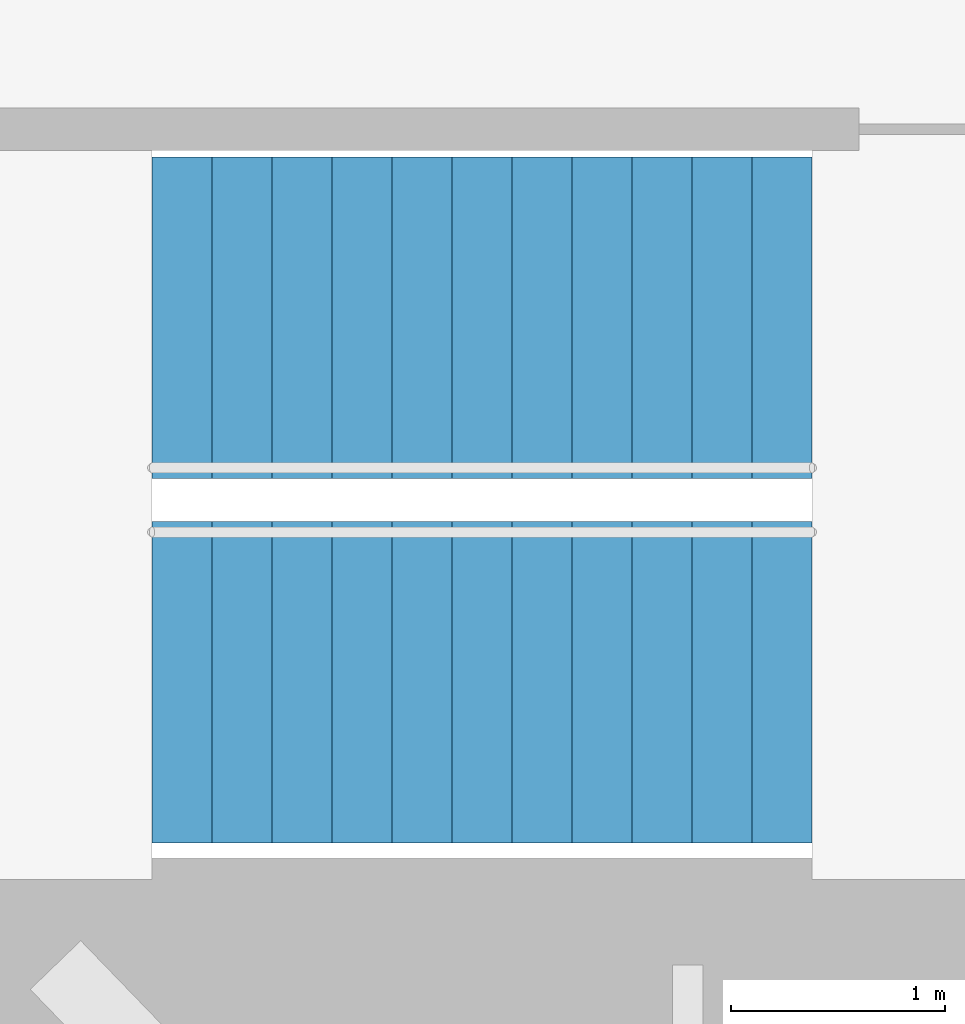
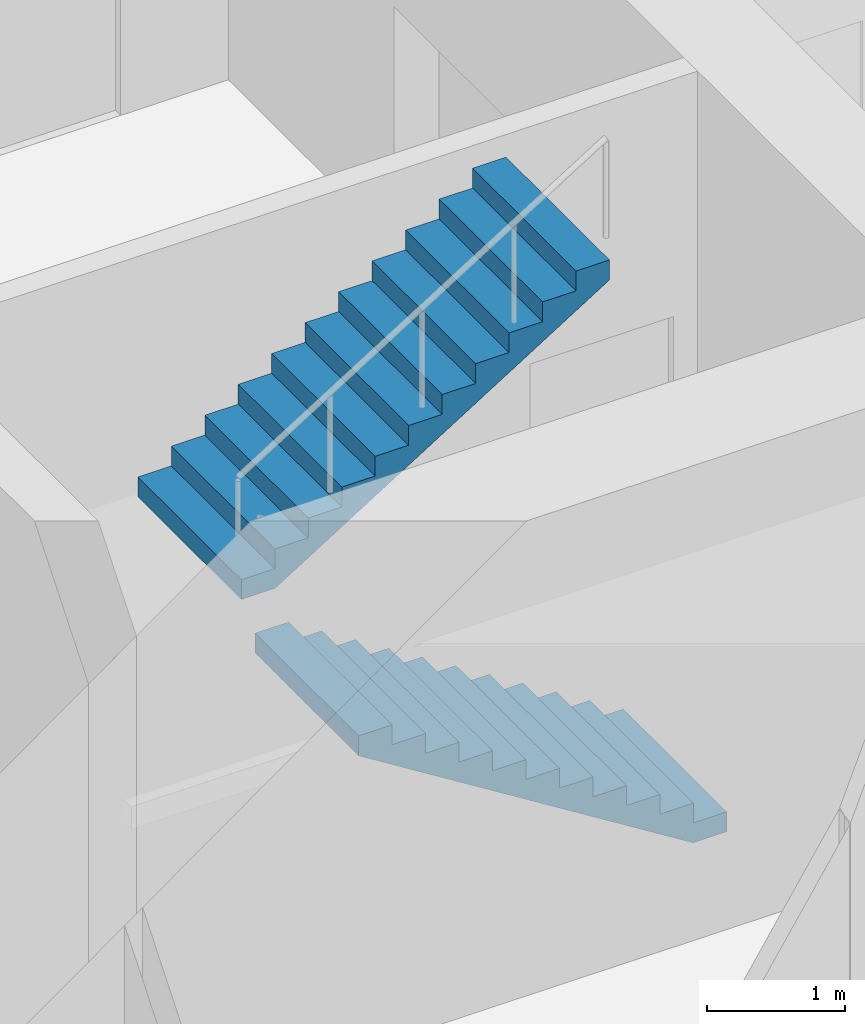
# One storey, part 17 of 18: 2 stair flights, 1 element without a shape of its own.
"""IFC4 building model written with IfcOpenShell, lengths in metres."""

from ifc_helpers import new_model, si_unit, direction, frame, origin, place, context, subcontext, project, spatial, triangles, material, type_object, element, aggregate, save


model = new_model("IFC4")

# Units and contexts
model_context = context("Model", 3, precision=1e-05, world=origin(), true_north=direction((0.0, 1.0)))
body_context = subcontext(model_context, "Body", "Model", "MODEL_VIEW")
ifc_project = project(units=[si_unit("LENGTHUNIT", "METRE"), si_unit("AREAUNIT", "SQUARE_METRE"), si_unit("VOLUMEUNIT", "CUBIC_METRE"), si_unit("PLANEANGLEUNIT", "RADIAN"), si_unit("MASSUNIT", "GRAM", prefix="KILO")], contexts=[model_context])

# Site, building, storey
site_placement = place(None, origin())
site = spatial("IfcSite", under=ifc_project, at=site_placement, CompositionType="ELEMENT")
building_placement = place(site_placement, origin())
building = spatial("IfcBuilding", under=site, at=building_placement, Name="Lantaw Convention Tower", CompositionType="ELEMENT")
storey_placement = place(building_placement, frame((0.0, 0.0, 257.800048828125)))
storey = spatial("IfcBuildingStorey", under=building, at=storey_placement, Name="L60", CompositionType="ELEMENT", Elevation=257.800048828125)

# Stair, stair flights
ifc_material = material(Name="Concrete C35/45", Category="concrete")
stair_type = type_object("IfcStairType", Name="Exit stair 1500 riser 175 in 2 flights", PredefinedType="HALF_TURN_STAIR", material=ifc_material)
stair_placement = place(storey_placement, origin())
stair = element("IfcStair", 1, at=stair_placement, inside=storey, type_object=stair_type, Name="Exit stair S2 L60", PredefinedType="HALF_TURN_STAIR")
stair_flight_type = type_object("IfcStairFlightType", Name="Stair flight 1500 riser 175", PredefinedType="STRAIGHT", material=ifc_material)
stair_flight_1_placement = place(storey_placement, frame((10.580078125, -5.97998046875, 0.0), z_axis=(0.0, 0.0, 1.0), x_axis=(-1.0, 0.0, 0.0)))
stair_flight_1 = element("IfcStairFlight", 2, at=stair_flight_1_placement, type_object=stair_flight_type, Name="S2 flight 1", NumberOfRisers=12, NumberOfTreads=11, PredefinedType="STRAIGHT", RiserHeight=0.175, TreadLength=0.28, context=body_context, shape_type="Tessellation", body=[
    triangles([(0.0, 0.75, 0.0), (0.0, 0.75, 0.175), (0.28, 0.75, 0.0), (0.28, 0.75, 0.175), (0.28, 0.75, 0.35), (0.28283517651771284, 0.75, 0.0), (0.28283517651771284, 0.75, 0.35), (0.56, 0.75, 0.17322801467642948), (0.56, 0.75, 0.35), (0.56, 0.75, 0.5249999999999999), (0.8400000000000001, 0.75, 0.34822801467642944), (0.8400000000000001, 0.75, 0.5249999999999999), (0.8400000000000001, 0.75, 0.7), (1.12, 0.75, 0.5232280146764294), (1.12, 0.75, 0.7), (1.12, 0.75, 0.875), (1.4000000000000001, 0.75, 0.6982280146764295), (1.4000000000000001, 0.75, 0.875), (1.4000000000000001, 0.75, 1.0499999999999998), (1.6800000000000002, 0.75, 0.8732280146764294), (1.6800000000000002, 0.75, 1.0499999999999998), (1.6800000000000002, 0.75, 1.2249999999999999), (1.9600000000000002, 0.75, 1.0482280146764293), (1.9600000000000002, 0.75, 1.2249999999999999), (1.9600000000000002, 0.75, 1.4), (2.24, 0.75, 1.2232280146764294), (2.24, 0.75, 1.4), (2.24, 0.75, 1.575), (2.5200000000000005, 0.75, 1.3982280146764294), (2.5200000000000005, 0.75, 1.575), (2.5200000000000005, 0.75, 1.75), (2.8000000000000003, 0.75, 1.5732280146764293), (2.8000000000000003, 0.75, 1.75), (2.8000000000000003, 0.75, 1.9249999999999998), (3.08, 0.75, 1.7482280146764293), (3.08, 0.75, 1.9249999999999998), (0.0, -0.75, 0.0), (0.0, -0.75, 0.175), (0.28, -0.75, 0.0), (0.28, -0.75, 0.175), (0.28, -0.75, 0.35), (0.28283517651771284, -0.75, 0.0), (0.28283517651771284, -0.75, 0.35), (0.56, -0.75, 0.17322801467642948), (0.56, -0.75, 0.35), (0.56, -0.75, 0.5249999999999999), (0.8400000000000001, -0.75, 0.34822801467642944), (0.8400000000000001, -0.75, 0.5249999999999999), (0.8400000000000001, -0.75, 0.7), (1.12, -0.75, 0.5232280146764294), (1.12, -0.75, 0.7), (1.12, -0.75, 0.875), (1.4000000000000001, -0.75, 0.6982280146764295), (1.4000000000000001, -0.75, 0.875), (1.4000000000000001, -0.75, 1.0499999999999998), (1.6800000000000002, -0.75, 0.8732280146764294), (1.6800000000000002, -0.75, 1.0499999999999998), (1.6800000000000002, -0.75, 1.2249999999999999), (1.9600000000000002, -0.75, 1.0482280146764293), (1.9600000000000002, -0.75, 1.2249999999999999), (1.9600000000000002, -0.75, 1.4), (2.24, -0.75, 1.2232280146764294), (2.24, -0.75, 1.4), (2.24, -0.75, 1.575), (2.5200000000000005, -0.75, 1.3982280146764294), (2.5200000000000005, -0.75, 1.575), (2.5200000000000005, -0.75, 1.75), (2.8000000000000003, -0.75, 1.5732280146764293), (2.8000000000000003, -0.75, 1.75), (2.8000000000000003, -0.75, 1.9249999999999998), (3.08, -0.75, 1.7482280146764293), (3.08, -0.75, 1.9249999999999998), (0.0, 0.15000000000000002, 0.175), (0.0, 0.15000000000000002, 0.0), (0.0, 0.0, 0.175), (0.0, 0.0, 0.0), (0.0, -0.15000000000000002, 0.175), (0.0, -0.15000000000000002, 0.0), (0.28, 0.15000000000000002, 0.35), (0.28, 0.15000000000000002, 0.175), (0.28, 0.0, 0.35), (0.28, 0.0, 0.175), (0.28, -0.15000000000000002, 0.35), (0.28, -0.15000000000000002, 0.175), (0.56, 0.15000000000000002, 0.5249999999999999), (0.56, 0.15000000000000002, 0.35), (0.56, 0.0, 0.5249999999999999), (0.56, 0.0, 0.35), (0.56, -0.15000000000000002, 0.5249999999999999), (0.56, -0.15000000000000002, 0.35), (0.8400000000000001, 0.15000000000000002, 0.7), (0.8400000000000001, 0.15000000000000002, 0.5249999999999999), (0.8400000000000001, 0.0, 0.7), (0.8400000000000001, 0.0, 0.5249999999999999), (0.8400000000000001, -0.15000000000000002, 0.7), (0.8400000000000001, -0.15000000000000002, 0.5249999999999999), (1.12, 0.15000000000000002, 0.875), (1.12, 0.15000000000000002, 0.7), (1.12, 0.0, 0.875), (1.12, 0.0, 0.7), (1.12, -0.15000000000000002, 0.875), (1.12, -0.15000000000000002, 0.7), (1.4000000000000001, 0.15000000000000002, 1.0499999999999998), (1.4000000000000001, 0.15000000000000002, 0.875), (1.4000000000000001, 0.0, 1.0499999999999998), (1.4000000000000001, 0.0, 0.875), (1.4000000000000001, -0.15000000000000002, 1.0499999999999998), (1.4000000000000001, -0.15000000000000002, 0.875), (1.6800000000000002, 0.15000000000000002, 1.2249999999999999), (1.6800000000000002, 0.15000000000000002, 1.0499999999999998), (1.6800000000000002, 0.0, 1.2249999999999999), (1.6800000000000002, 0.0, 1.0499999999999998), (1.6800000000000002, -0.15000000000000002, 1.2249999999999999), (1.6800000000000002, -0.15000000000000002, 1.0499999999999998), (1.9600000000000002, 0.15000000000000002, 1.4), (1.9600000000000002, 0.15000000000000002, 1.2249999999999999), (1.9600000000000002, 0.0, 1.4), (1.9600000000000002, 0.0, 1.2249999999999999), (1.9600000000000002, -0.15000000000000002, 1.4), (1.9600000000000002, -0.15000000000000002, 1.2249999999999999), (2.24, 0.15000000000000002, 1.575), (2.24, 0.15000000000000002, 1.4), (2.24, 0.0, 1.575), (2.24, 0.0, 1.4), (2.24, -0.15000000000000002, 1.575), (2.24, -0.15000000000000002, 1.4), (2.5200000000000005, 0.15000000000000002, 1.75), (2.5200000000000005, 0.15000000000000002, 1.575), (2.5200000000000005, 0.0, 1.75), (2.5200000000000005, 0.0, 1.575), (2.5200000000000005, -0.15000000000000002, 1.75), (2.5200000000000005, -0.15000000000000002, 1.575), (2.8000000000000003, 0.15000000000000002, 1.9249999999999998), (2.8000000000000003, 0.15000000000000002, 1.75), (2.8000000000000003, 0.0, 1.9249999999999998), (2.8000000000000003, 0.0, 1.75), (2.8000000000000003, -0.15000000000000002, 1.9249999999999998), (2.8000000000000003, -0.15000000000000002, 1.75), (0.28283517651771284, 0.15000000000000002, 0.35), (0.28283517651771284, 0.0, 0.35), (0.28283517651771284, -0.15000000000000002, 0.35), (3.08, 0.15000000000000002, 1.9249999999999998), (3.08, 0.0, 1.9249999999999998), (3.08, -0.15000000000000002, 1.9249999999999998), (3.08, 0.15000000000000002, 1.7482280146764293), (3.08, 0.0, 1.7482280146764293), (3.08, -0.15000000000000002, 1.7482280146764293), (2.8000000000000003, 0.15000000000000002, 1.5732280146764293), (2.8000000000000003, 0.0, 1.5732280146764293), (2.8000000000000003, -0.15000000000000002, 1.5732280146764293), (2.5200000000000005, 0.15000000000000002, 1.3982280146764294), (2.5200000000000005, 0.0, 1.3982280146764294), (2.5200000000000005, -0.15000000000000002, 1.3982280146764294), (2.24, 0.15000000000000002, 1.2232280146764294), (2.24, 0.0, 1.2232280146764294), (2.24, -0.15000000000000002, 1.2232280146764294), (1.9600000000000002, 0.15000000000000002, 1.0482280146764293), (1.9600000000000002, 0.0, 1.0482280146764293), (1.9600000000000002, -0.15000000000000002, 1.0482280146764293), (1.6800000000000002, 0.15000000000000002, 0.8732280146764294), (1.6800000000000002, 0.0, 0.8732280146764294), (1.6800000000000002, -0.15000000000000002, 0.8732280146764294), (1.4000000000000001, 0.15000000000000002, 0.6982280146764295), (1.4000000000000001, 0.0, 0.6982280146764295), (1.4000000000000001, -0.15000000000000002, 0.6982280146764295), (1.12, 0.15000000000000002, 0.5232280146764294), (1.12, 0.0, 0.5232280146764294), (1.12, -0.15000000000000002, 0.5232280146764294), (0.8400000000000001, 0.15000000000000002, 0.34822801467642944), (0.8400000000000001, 0.0, 0.34822801467642944), (0.8400000000000001, -0.15000000000000002, 0.34822801467642944), (0.56, 0.15000000000000002, 0.17322801467642948), (0.56, 0.0, 0.17322801467642948), (0.56, -0.15000000000000002, 0.17322801467642948), (0.28283517651771284, 0.15000000000000002, 0.0), (0.28283517651771284, 0.0, 0.0), (0.28283517651771284, -0.15000000000000002, 0.0), (0.28, 0.15000000000000002, 0.0), (0.28, 0.0, 0.0), (0.28, -0.15000000000000002, 0.0)], [[1, 4, 3], [1, 2, 4], [3, 4, 6], [4, 7, 6], [4, 5, 7], [6, 9, 8], [6, 7, 9], [8, 9, 11], [9, 12, 11], [9, 10, 12], [11, 12, 14], [12, 15, 14], [12, 13, 15], [14, 15, 17], [15, 18, 17], [15, 16, 18], [17, 18, 20], [18, 21, 20], [18, 19, 21], [20, 21, 23], [21, 24, 23], [21, 22, 24], [23, 24, 26], [24, 27, 26], [24, 25, 27], [26, 27, 29], [27, 30, 29], [27, 28, 30], [29, 30, 32], [30, 33, 32], [30, 31, 33], [32, 33, 35], [33, 36, 35], [33, 34, 36], [37, 39, 40], [37, 40, 38], [39, 42, 40], [40, 42, 43], [40, 43, 41], [42, 44, 45], [42, 45, 43], [44, 47, 45], [45, 47, 48], [45, 48, 46], [47, 50, 48], [48, 50, 51], [48, 51, 49], [50, 53, 51], [51, 53, 54], [51, 54, 52], [53, 56, 54], [54, 56, 57], [54, 57, 55], [56, 59, 57], [57, 59, 60], [57, 60, 58], [59, 62, 60], [60, 62, 63], [60, 63, 61], [62, 65, 63], [63, 65, 66], [63, 66, 64], [65, 68, 66], [66, 68, 69], [66, 69, 67], [68, 71, 69], [69, 71, 72], [69, 72, 70], [1, 73, 2], [1, 74, 73], [74, 75, 73], [74, 76, 75], [76, 77, 75], [76, 78, 77], [78, 38, 77], [78, 37, 38], [4, 79, 5], [4, 80, 79], [80, 81, 79], [80, 82, 81], [82, 83, 81], [82, 84, 83], [84, 41, 83], [84, 40, 41], [9, 85, 10], [9, 86, 85], [86, 87, 85], [86, 88, 87], [88, 89, 87], [88, 90, 89], [90, 46, 89], [90, 45, 46], [12, 91, 13], [12, 92, 91], [92, 93, 91], [92, 94, 93], [94, 95, 93], [94, 96, 95], [96, 49, 95], [96, 48, 49], [15, 97, 16], [15, 98, 97], [98, 99, 97], [98, 100, 99], [100, 101, 99], [100, 102, 101], [102, 52, 101], [102, 51, 52], [18, 103, 19], [18, 104, 103], [104, 105, 103], [104, 106, 105], [106, 107, 105], [106, 108, 107], [108, 55, 107], [108, 54, 55], [21, 109, 22], [21, 110, 109], [110, 111, 109], [110, 112, 111], [112, 113, 111], [112, 114, 113], [114, 58, 113], [114, 57, 58], [24, 115, 25], [24, 116, 115], [116, 117, 115], [116, 118, 117], [118, 119, 117], [118, 120, 119], [120, 61, 119], [120, 60, 61], [27, 121, 28], [27, 122, 121], [122, 123, 121], [122, 124, 123], [124, 125, 123], [124, 126, 125], [126, 64, 125], [126, 63, 64], [30, 127, 31], [30, 128, 127], [128, 129, 127], [128, 130, 129], [130, 131, 129], [130, 132, 131], [132, 67, 131], [132, 66, 67], [33, 133, 34], [33, 134, 133], [134, 135, 133], [134, 136, 135], [136, 137, 135], [136, 138, 137], [138, 70, 137], [138, 69, 70], [2, 80, 4], [2, 73, 80], [73, 82, 80], [73, 75, 82], [75, 84, 82], [75, 77, 84], [77, 40, 84], [77, 38, 40], [5, 139, 7], [5, 79, 139], [79, 140, 139], [79, 81, 140], [81, 141, 140], [81, 83, 141], [83, 43, 141], [83, 41, 43], [7, 86, 9], [7, 139, 86], [139, 88, 86], [139, 140, 88], [140, 90, 88], [140, 141, 90], [141, 45, 90], [141, 43, 45], [10, 92, 12], [10, 85, 92], [85, 94, 92], [85, 87, 94], [87, 96, 94], [87, 89, 96], [89, 48, 96], [89, 46, 48], [13, 98, 15], [13, 91, 98], [91, 100, 98], [91, 93, 100], [93, 102, 100], [93, 95, 102], [95, 51, 102], [95, 49, 51], [16, 104, 18], [16, 97, 104], [97, 106, 104], [97, 99, 106], [99, 108, 106], [99, 101, 108], [101, 54, 108], [101, 52, 54], [19, 110, 21], [19, 103, 110], [103, 112, 110], [103, 105, 112], [105, 114, 112], [105, 107, 114], [107, 57, 114], [107, 55, 57], [22, 116, 24], [22, 109, 116], [109, 118, 116], [109, 111, 118], [111, 120, 118], [111, 113, 120], [113, 60, 120], [113, 58, 60], [25, 122, 27], [25, 115, 122], [115, 124, 122], [115, 117, 124], [117, 126, 124], [117, 119, 126], [119, 63, 126], [119, 61, 63], [28, 128, 30], [28, 121, 128], [121, 130, 128], [121, 123, 130], [123, 132, 130], [123, 125, 132], [125, 66, 132], [125, 64, 66], [31, 134, 33], [31, 127, 134], [127, 136, 134], [127, 129, 136], [129, 138, 136], [129, 131, 138], [131, 69, 138], [131, 67, 69], [34, 142, 36], [34, 133, 142], [133, 143, 142], [133, 135, 143], [135, 144, 143], [135, 137, 144], [137, 72, 144], [137, 70, 72], [36, 145, 35], [36, 142, 145], [142, 146, 145], [142, 143, 146], [143, 147, 146], [143, 144, 147], [144, 71, 147], [144, 72, 71], [35, 148, 32], [35, 145, 148], [145, 149, 148], [145, 146, 149], [146, 150, 149], [146, 147, 150], [147, 68, 150], [147, 71, 68], [32, 151, 29], [32, 148, 151], [148, 152, 151], [148, 149, 152], [149, 153, 152], [149, 150, 153], [150, 65, 153], [150, 68, 65], [29, 154, 26], [29, 151, 154], [151, 155, 154], [151, 152, 155], [152, 156, 155], [152, 153, 156], [153, 62, 156], [153, 65, 62], [26, 157, 23], [26, 154, 157], [154, 158, 157], [154, 155, 158], [155, 159, 158], [155, 156, 159], [156, 59, 159], [156, 62, 59], [23, 160, 20], [23, 157, 160], [157, 161, 160], [157, 158, 161], [158, 162, 161], [158, 159, 162], [159, 56, 162], [159, 59, 56], [20, 163, 17], [20, 160, 163], [160, 164, 163], [160, 161, 164], [161, 165, 164], [161, 162, 165], [162, 53, 165], [162, 56, 53], [17, 166, 14], [17, 163, 166], [163, 167, 166], [163, 164, 167], [164, 168, 167], [164, 165, 168], [165, 50, 168], [165, 53, 50], [14, 169, 11], [14, 166, 169], [166, 170, 169], [166, 167, 170], [167, 171, 170], [167, 168, 171], [168, 47, 171], [168, 50, 47], [11, 172, 8], [11, 169, 172], [169, 173, 172], [169, 170, 173], [170, 174, 173], [170, 171, 174], [171, 44, 174], [171, 47, 44], [8, 175, 6], [8, 172, 175], [172, 176, 175], [172, 173, 176], [173, 177, 176], [173, 174, 177], [174, 42, 177], [174, 44, 42], [6, 178, 3], [6, 175, 178], [175, 179, 178], [175, 176, 179], [176, 180, 179], [176, 177, 180], [177, 39, 180], [177, 42, 39], [3, 74, 1], [3, 178, 74], [178, 76, 74], [178, 179, 76], [179, 78, 76], [179, 180, 78], [180, 37, 78], [180, 39, 37]], closed=True),
])
stair_flight_2_placement = place(storey_placement, frame((7.5, -4.280029296875, 2.099853515625), z_axis=(0.0, 0.0, 1.0), x_axis=(1.0, 0.0, 0.0)))
stair_flight_2 = element("IfcStairFlight", 3, at=stair_flight_2_placement, type_object=stair_flight_type, Name="S2 flight 2", NumberOfRisers=12, NumberOfTreads=11, PredefinedType="STRAIGHT", RiserHeight=0.175, TreadLength=0.28, context=body_context, shape_type="Tessellation", body=[
    triangles([(0.0, 0.75, 0.0), (0.0, 0.75, 0.175), (0.28, 0.75, 0.0), (0.28, 0.75, 0.175), (0.28, 0.75, 0.35), (0.28283517651771284, 0.75, 0.0), (0.28283517651771284, 0.75, 0.35), (0.56, 0.75, 0.17322801467642948), (0.56, 0.75, 0.35), (0.56, 0.75, 0.5249999999999999), (0.8400000000000001, 0.75, 0.34822801467642944), (0.8400000000000001, 0.75, 0.5249999999999999), (0.8400000000000001, 0.75, 0.7), (1.12, 0.75, 0.5232280146764294), (1.12, 0.75, 0.7), (1.12, 0.75, 0.875), (1.4000000000000001, 0.75, 0.6982280146764295), (1.4000000000000001, 0.75, 0.875), (1.4000000000000001, 0.75, 1.0499999999999998), (1.6800000000000002, 0.75, 0.8732280146764294), (1.6800000000000002, 0.75, 1.0499999999999998), (1.6800000000000002, 0.75, 1.2249999999999999), (1.9600000000000002, 0.75, 1.0482280146764293), (1.9600000000000002, 0.75, 1.2249999999999999), (1.9600000000000002, 0.75, 1.4), (2.24, 0.75, 1.2232280146764294), (2.24, 0.75, 1.4), (2.24, 0.75, 1.575), (2.5200000000000005, 0.75, 1.3982280146764294), (2.5200000000000005, 0.75, 1.575), (2.5200000000000005, 0.75, 1.75), (2.8000000000000003, 0.75, 1.5732280146764293), (2.8000000000000003, 0.75, 1.75), (2.8000000000000003, 0.75, 1.9249999999999998), (3.08, 0.75, 1.7482280146764293), (3.08, 0.75, 1.9249999999999998), (0.0, -0.75, 0.0), (0.0, -0.75, 0.175), (0.28, -0.75, 0.0), (0.28, -0.75, 0.175), (0.28, -0.75, 0.35), (0.28283517651771284, -0.75, 0.0), (0.28283517651771284, -0.75, 0.35), (0.56, -0.75, 0.17322801467642948), (0.56, -0.75, 0.35), (0.56, -0.75, 0.5249999999999999), (0.8400000000000001, -0.75, 0.34822801467642944), (0.8400000000000001, -0.75, 0.5249999999999999), (0.8400000000000001, -0.75, 0.7), (1.12, -0.75, 0.5232280146764294), (1.12, -0.75, 0.7), (1.12, -0.75, 0.875), (1.4000000000000001, -0.75, 0.6982280146764295), (1.4000000000000001, -0.75, 0.875), (1.4000000000000001, -0.75, 1.0499999999999998), (1.6800000000000002, -0.75, 0.8732280146764294), (1.6800000000000002, -0.75, 1.0499999999999998), (1.6800000000000002, -0.75, 1.2249999999999999), (1.9600000000000002, -0.75, 1.0482280146764293), (1.9600000000000002, -0.75, 1.2249999999999999), (1.9600000000000002, -0.75, 1.4), (2.24, -0.75, 1.2232280146764294), (2.24, -0.75, 1.4), (2.24, -0.75, 1.575), (2.5200000000000005, -0.75, 1.3982280146764294), (2.5200000000000005, -0.75, 1.575), (2.5200000000000005, -0.75, 1.75), (2.8000000000000003, -0.75, 1.5732280146764293), (2.8000000000000003, -0.75, 1.75), (2.8000000000000003, -0.75, 1.9249999999999998), (3.08, -0.75, 1.7482280146764293), (3.08, -0.75, 1.9249999999999998), (0.0, 0.15000000000000002, 0.175), (0.0, 0.15000000000000002, 0.0), (0.0, 0.0, 0.175), (0.0, 0.0, 0.0), (0.0, -0.15000000000000002, 0.175), (0.0, -0.15000000000000002, 0.0), (0.28, 0.15000000000000002, 0.35), (0.28, 0.15000000000000002, 0.175), (0.28, 0.0, 0.35), (0.28, 0.0, 0.175), (0.28, -0.15000000000000002, 0.35), (0.28, -0.15000000000000002, 0.175), (0.56, 0.15000000000000002, 0.5249999999999999), (0.56, 0.15000000000000002, 0.35), (0.56, 0.0, 0.5249999999999999), (0.56, 0.0, 0.35), (0.56, -0.15000000000000002, 0.5249999999999999), (0.56, -0.15000000000000002, 0.35), (0.8400000000000001, 0.15000000000000002, 0.7), (0.8400000000000001, 0.15000000000000002, 0.5249999999999999), (0.8400000000000001, 0.0, 0.7), (0.8400000000000001, 0.0, 0.5249999999999999), (0.8400000000000001, -0.15000000000000002, 0.7), (0.8400000000000001, -0.15000000000000002, 0.5249999999999999), (1.12, 0.15000000000000002, 0.875), (1.12, 0.15000000000000002, 0.7), (1.12, 0.0, 0.875), (1.12, 0.0, 0.7), (1.12, -0.15000000000000002, 0.875), (1.12, -0.15000000000000002, 0.7), (1.4000000000000001, 0.15000000000000002, 1.0499999999999998), (1.4000000000000001, 0.15000000000000002, 0.875), (1.4000000000000001, 0.0, 1.0499999999999998), (1.4000000000000001, 0.0, 0.875), (1.4000000000000001, -0.15000000000000002, 1.0499999999999998), (1.4000000000000001, -0.15000000000000002, 0.875), (1.6800000000000002, 0.15000000000000002, 1.2249999999999999), (1.6800000000000002, 0.15000000000000002, 1.0499999999999998), (1.6800000000000002, 0.0, 1.2249999999999999), (1.6800000000000002, 0.0, 1.0499999999999998), (1.6800000000000002, -0.15000000000000002, 1.2249999999999999), (1.6800000000000002, -0.15000000000000002, 1.0499999999999998), (1.9600000000000002, 0.15000000000000002, 1.4), (1.9600000000000002, 0.15000000000000002, 1.2249999999999999), (1.9600000000000002, 0.0, 1.4), (1.9600000000000002, 0.0, 1.2249999999999999), (1.9600000000000002, -0.15000000000000002, 1.4), (1.9600000000000002, -0.15000000000000002, 1.2249999999999999), (2.24, 0.15000000000000002, 1.575), (2.24, 0.15000000000000002, 1.4), (2.24, 0.0, 1.575), (2.24, 0.0, 1.4), (2.24, -0.15000000000000002, 1.575), (2.24, -0.15000000000000002, 1.4), (2.5200000000000005, 0.15000000000000002, 1.75), (2.5200000000000005, 0.15000000000000002, 1.575), (2.5200000000000005, 0.0, 1.75), (2.5200000000000005, 0.0, 1.575), (2.5200000000000005, -0.15000000000000002, 1.75), (2.5200000000000005, -0.15000000000000002, 1.575), (2.8000000000000003, 0.15000000000000002, 1.9249999999999998), (2.8000000000000003, 0.15000000000000002, 1.75), (2.8000000000000003, 0.0, 1.9249999999999998), (2.8000000000000003, 0.0, 1.75), (2.8000000000000003, -0.15000000000000002, 1.9249999999999998), (2.8000000000000003, -0.15000000000000002, 1.75), (0.28283517651771284, 0.15000000000000002, 0.35), (0.28283517651771284, 0.0, 0.35), (0.28283517651771284, -0.15000000000000002, 0.35), (3.08, 0.15000000000000002, 1.9249999999999998), (3.08, 0.0, 1.9249999999999998), (3.08, -0.15000000000000002, 1.9249999999999998), (3.08, 0.15000000000000002, 1.7482280146764293), (3.08, 0.0, 1.7482280146764293), (3.08, -0.15000000000000002, 1.7482280146764293), (2.8000000000000003, 0.15000000000000002, 1.5732280146764293), (2.8000000000000003, 0.0, 1.5732280146764293), (2.8000000000000003, -0.15000000000000002, 1.5732280146764293), (2.5200000000000005, 0.15000000000000002, 1.3982280146764294), (2.5200000000000005, 0.0, 1.3982280146764294), (2.5200000000000005, -0.15000000000000002, 1.3982280146764294), (2.24, 0.15000000000000002, 1.2232280146764294), (2.24, 0.0, 1.2232280146764294), (2.24, -0.15000000000000002, 1.2232280146764294), (1.9600000000000002, 0.15000000000000002, 1.0482280146764293), (1.9600000000000002, 0.0, 1.0482280146764293), (1.9600000000000002, -0.15000000000000002, 1.0482280146764293), (1.6800000000000002, 0.15000000000000002, 0.8732280146764294), (1.6800000000000002, 0.0, 0.8732280146764294), (1.6800000000000002, -0.15000000000000002, 0.8732280146764294), (1.4000000000000001, 0.15000000000000002, 0.6982280146764295), (1.4000000000000001, 0.0, 0.6982280146764295), (1.4000000000000001, -0.15000000000000002, 0.6982280146764295), (1.12, 0.15000000000000002, 0.5232280146764294), (1.12, 0.0, 0.5232280146764294), (1.12, -0.15000000000000002, 0.5232280146764294), (0.8400000000000001, 0.15000000000000002, 0.34822801467642944), (0.8400000000000001, 0.0, 0.34822801467642944), (0.8400000000000001, -0.15000000000000002, 0.34822801467642944), (0.56, 0.15000000000000002, 0.17322801467642948), (0.56, 0.0, 0.17322801467642948), (0.56, -0.15000000000000002, 0.17322801467642948), (0.28283517651771284, 0.15000000000000002, 0.0), (0.28283517651771284, 0.0, 0.0), (0.28283517651771284, -0.15000000000000002, 0.0), (0.28, 0.15000000000000002, 0.0), (0.28, 0.0, 0.0), (0.28, -0.15000000000000002, 0.0)], [[1, 4, 3], [1, 2, 4], [3, 4, 6], [4, 7, 6], [4, 5, 7], [6, 9, 8], [6, 7, 9], [8, 9, 11], [9, 12, 11], [9, 10, 12], [11, 12, 14], [12, 15, 14], [12, 13, 15], [14, 15, 17], [15, 18, 17], [15, 16, 18], [17, 18, 20], [18, 21, 20], [18, 19, 21], [20, 21, 23], [21, 24, 23], [21, 22, 24], [23, 24, 26], [24, 27, 26], [24, 25, 27], [26, 27, 29], [27, 30, 29], [27, 28, 30], [29, 30, 32], [30, 33, 32], [30, 31, 33], [32, 33, 35], [33, 36, 35], [33, 34, 36], [37, 39, 40], [37, 40, 38], [39, 42, 40], [40, 42, 43], [40, 43, 41], [42, 44, 45], [42, 45, 43], [44, 47, 45], [45, 47, 48], [45, 48, 46], [47, 50, 48], [48, 50, 51], [48, 51, 49], [50, 53, 51], [51, 53, 54], [51, 54, 52], [53, 56, 54], [54, 56, 57], [54, 57, 55], [56, 59, 57], [57, 59, 60], [57, 60, 58], [59, 62, 60], [60, 62, 63], [60, 63, 61], [62, 65, 63], [63, 65, 66], [63, 66, 64], [65, 68, 66], [66, 68, 69], [66, 69, 67], [68, 71, 69], [69, 71, 72], [69, 72, 70], [1, 73, 2], [1, 74, 73], [74, 75, 73], [74, 76, 75], [76, 77, 75], [76, 78, 77], [78, 38, 77], [78, 37, 38], [4, 79, 5], [4, 80, 79], [80, 81, 79], [80, 82, 81], [82, 83, 81], [82, 84, 83], [84, 41, 83], [84, 40, 41], [9, 85, 10], [9, 86, 85], [86, 87, 85], [86, 88, 87], [88, 89, 87], [88, 90, 89], [90, 46, 89], [90, 45, 46], [12, 91, 13], [12, 92, 91], [92, 93, 91], [92, 94, 93], [94, 95, 93], [94, 96, 95], [96, 49, 95], [96, 48, 49], [15, 97, 16], [15, 98, 97], [98, 99, 97], [98, 100, 99], [100, 101, 99], [100, 102, 101], [102, 52, 101], [102, 51, 52], [18, 103, 19], [18, 104, 103], [104, 105, 103], [104, 106, 105], [106, 107, 105], [106, 108, 107], [108, 55, 107], [108, 54, 55], [21, 109, 22], [21, 110, 109], [110, 111, 109], [110, 112, 111], [112, 113, 111], [112, 114, 113], [114, 58, 113], [114, 57, 58], [24, 115, 25], [24, 116, 115], [116, 117, 115], [116, 118, 117], [118, 119, 117], [118, 120, 119], [120, 61, 119], [120, 60, 61], [27, 121, 28], [27, 122, 121], [122, 123, 121], [122, 124, 123], [124, 125, 123], [124, 126, 125], [126, 64, 125], [126, 63, 64], [30, 127, 31], [30, 128, 127], [128, 129, 127], [128, 130, 129], [130, 131, 129], [130, 132, 131], [132, 67, 131], [132, 66, 67], [33, 133, 34], [33, 134, 133], [134, 135, 133], [134, 136, 135], [136, 137, 135], [136, 138, 137], [138, 70, 137], [138, 69, 70], [2, 80, 4], [2, 73, 80], [73, 82, 80], [73, 75, 82], [75, 84, 82], [75, 77, 84], [77, 40, 84], [77, 38, 40], [5, 139, 7], [5, 79, 139], [79, 140, 139], [79, 81, 140], [81, 141, 140], [81, 83, 141], [83, 43, 141], [83, 41, 43], [7, 86, 9], [7, 139, 86], [139, 88, 86], [139, 140, 88], [140, 90, 88], [140, 141, 90], [141, 45, 90], [141, 43, 45], [10, 92, 12], [10, 85, 92], [85, 94, 92], [85, 87, 94], [87, 96, 94], [87, 89, 96], [89, 48, 96], [89, 46, 48], [13, 98, 15], [13, 91, 98], [91, 100, 98], [91, 93, 100], [93, 102, 100], [93, 95, 102], [95, 51, 102], [95, 49, 51], [16, 104, 18], [16, 97, 104], [97, 106, 104], [97, 99, 106], [99, 108, 106], [99, 101, 108], [101, 54, 108], [101, 52, 54], [19, 110, 21], [19, 103, 110], [103, 112, 110], [103, 105, 112], [105, 114, 112], [105, 107, 114], [107, 57, 114], [107, 55, 57], [22, 116, 24], [22, 109, 116], [109, 118, 116], [109, 111, 118], [111, 120, 118], [111, 113, 120], [113, 60, 120], [113, 58, 60], [25, 122, 27], [25, 115, 122], [115, 124, 122], [115, 117, 124], [117, 126, 124], [117, 119, 126], [119, 63, 126], [119, 61, 63], [28, 128, 30], [28, 121, 128], [121, 130, 128], [121, 123, 130], [123, 132, 130], [123, 125, 132], [125, 66, 132], [125, 64, 66], [31, 134, 33], [31, 127, 134], [127, 136, 134], [127, 129, 136], [129, 138, 136], [129, 131, 138], [131, 69, 138], [131, 67, 69], [34, 142, 36], [34, 133, 142], [133, 143, 142], [133, 135, 143], [135, 144, 143], [135, 137, 144], [137, 72, 144], [137, 70, 72], [36, 145, 35], [36, 142, 145], [142, 146, 145], [142, 143, 146], [143, 147, 146], [143, 144, 147], [144, 71, 147], [144, 72, 71], [35, 148, 32], [35, 145, 148], [145, 149, 148], [145, 146, 149], [146, 150, 149], [146, 147, 150], [147, 68, 150], [147, 71, 68], [32, 151, 29], [32, 148, 151], [148, 152, 151], [148, 149, 152], [149, 153, 152], [149, 150, 153], [150, 65, 153], [150, 68, 65], [29, 154, 26], [29, 151, 154], [151, 155, 154], [151, 152, 155], [152, 156, 155], [152, 153, 156], [153, 62, 156], [153, 65, 62], [26, 157, 23], [26, 154, 157], [154, 158, 157], [154, 155, 158], [155, 159, 158], [155, 156, 159], [156, 59, 159], [156, 62, 59], [23, 160, 20], [23, 157, 160], [157, 161, 160], [157, 158, 161], [158, 162, 161], [158, 159, 162], [159, 56, 162], [159, 59, 56], [20, 163, 17], [20, 160, 163], [160, 164, 163], [160, 161, 164], [161, 165, 164], [161, 162, 165], [162, 53, 165], [162, 56, 53], [17, 166, 14], [17, 163, 166], [163, 167, 166], [163, 164, 167], [164, 168, 167], [164, 165, 168], [165, 50, 168], [165, 53, 50], [14, 169, 11], [14, 166, 169], [166, 170, 169], [166, 167, 170], [167, 171, 170], [167, 168, 171], [168, 47, 171], [168, 50, 47], [11, 172, 8], [11, 169, 172], [169, 173, 172], [169, 170, 173], [170, 174, 173], [170, 171, 174], [171, 44, 174], [171, 47, 44], [8, 175, 6], [8, 172, 175], [172, 176, 175], [172, 173, 176], [173, 177, 176], [173, 174, 177], [174, 42, 177], [174, 44, 42], [6, 178, 3], [6, 175, 178], [175, 179, 178], [175, 176, 179], [176, 180, 179], [176, 177, 180], [177, 39, 180], [177, 42, 39], [3, 74, 1], [3, 178, 74], [178, 76, 74], [178, 179, 76], [179, 78, 76], [179, 180, 78], [180, 37, 78], [180, 39, 37]], closed=True),
])
aggregate(stair, [stair_flight_1, stair_flight_2])

save(model, "model.ifc")
